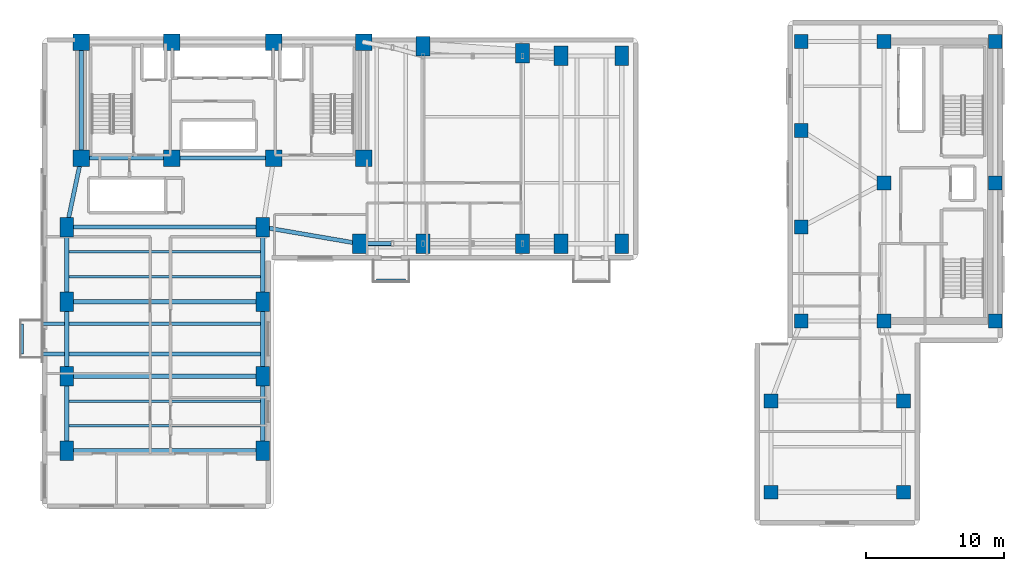
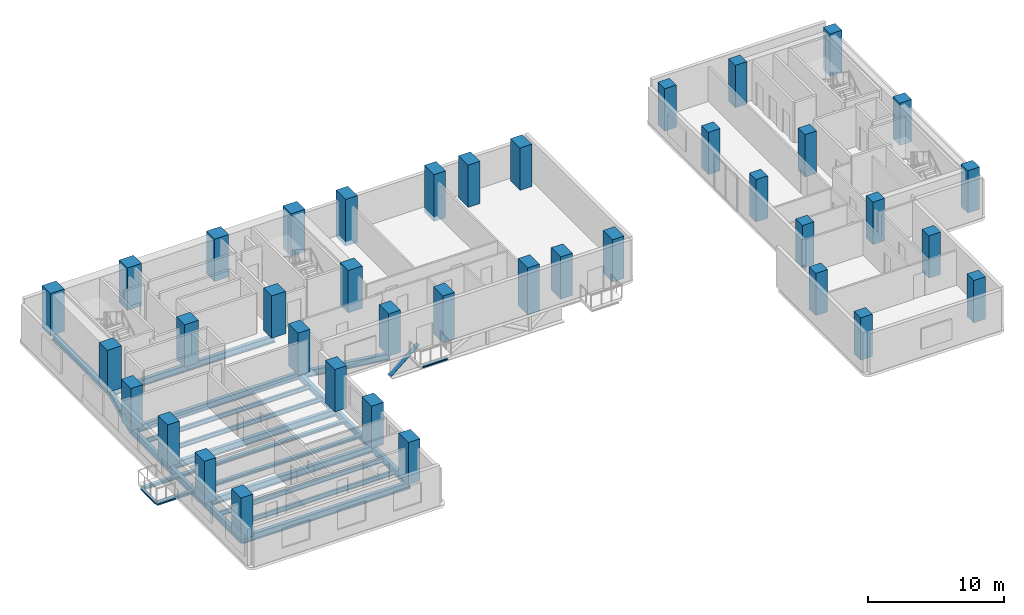
# One storey, part 1 of 15: 39 columns, 23 beams, 1 member.
"""IFC4 building model written with IfcOpenShell, lengths in metres."""

import ifcopenshell
import ifcopenshell.guid

model = None  # the IFC model being written
_history = None  # IfcOwnerHistory: only IFC2X3 demands one
_inside = {}  # id of a spatial element -> (the spatial element, [elements in it])
_under = {}  # id of a project, library or spatial element -> (it, [spatial elements below it])
_declared = {}  # id of a project -> (the project, [libraries it declares])
_typed = {}  # id of a type object -> (the type object, [elements of that type])
_made_of = {}  # id of a material, layer set ... -> (it, [elements and type objects made of it])


def new_model(schema):
    """Start an empty IFC model of exactly this schema.

    Asked for "IFC4X3", IfcOpenShell would pick the latest addendum, in which some entities
    have other attributes; the version numbers below select the first issue.
    IFC2X3 requires an IfcOwnerHistory on every rooted entity: one is made here for all.
    """
    global model, _history
    if schema == "IFC4X3":
        model = ifcopenshell.file(schema_version=(4, 3, 0, 0))
    else:
        model = ifcopenshell.file(schema=schema)
    _inside.clear()
    _under.clear()
    _declared.clear()
    _typed.clear()
    _made_of.clear()
    _history = None
    if model.schema == "IFC2X3":
        org = make("IfcOrganization", Name="unknown")
        user = make(
            "IfcPersonAndOrganization",
            ThePerson=make("IfcPerson", FamilyName="unknown"),
            TheOrganization=org,
        )
        app = make(
            "IfcApplication",
            ApplicationDeveloper=org,
            Version="unknown",
            ApplicationFullName="unknown",
            ApplicationIdentifier="unknown",
        )
        _history = make(
            "IfcOwnerHistory",
            OwningUser=user,
            OwningApplication=app,
            ChangeAction="ADDED",
            CreationDate=0,
        )
    return model


def make(cls, **values):
    """One entity of the class cls with the attributes given. An attribute that is None is left unset."""
    return model.create_entity(
        cls, **{name: value for name, value in values.items() if value is not None}
    )


def rooted(cls, **values):
    """An entity with a GlobalId (a new one), such as an element, a storey or a relation."""
    return make(cls, GlobalId=ifcopenshell.guid.new(), OwnerHistory=_history, **values)


def si_unit(unit_type, name, prefix=None):
    """IfcSIUnit, for example si_unit("LENGTHUNIT", "METRE", prefix="MILLI")."""
    return make("IfcSIUnit", UnitType=unit_type, Prefix=prefix, Name=name)


def assignment(units):
    """IfcUnitAssignment: the units of a project."""
    return None if units is None else make("IfcUnitAssignment", Units=units)


def point(xyz):
    """IfcCartesianPoint."""
    return None if xyz is None else make("IfcCartesianPoint", Coordinates=xyz)


def direction(xyz):
    """IfcDirection."""
    return None if xyz is None else make("IfcDirection", DirectionRatios=xyz)


def frame(location, z_axis=None, x_axis=None):
    """IfcAxis2Placement3D, a coordinate frame: its origin and axes. An axis left out is left unset."""
    return make(
        "IfcAxis2Placement3D",
        Location=point(location),
        Axis=direction(z_axis),
        RefDirection=direction(x_axis),
    )


def frame_2d(location, x_axis=None):
    """IfcAxis2Placement2D, a coordinate frame in the plane: its origin and x axis."""
    return make(
        "IfcAxis2Placement2D", Location=point(location), RefDirection=direction(x_axis)
    )


def origin():
    """The frame at (0, 0, 0) with its axes left unset."""
    return frame((0.0, 0.0, 0.0))


def origin_2d():
    """The frame at (0, 0) in the plane with its x axis left unset."""
    return frame_2d((0.0, 0.0))


def place(relative_to, where):
    """IfcLocalPlacement: puts the frame where relative to a parent placement (None: the world)."""
    return make(
        "IfcLocalPlacement", PlacementRelTo=relative_to, RelativePlacement=where
    )


def context(
    kind, dimensions, precision=None, world=None, true_north=None, identifier=None
):
    """IfcGeometricRepresentationContext, for example the 3D "Model" context."""
    return make(
        "IfcGeometricRepresentationContext",
        ContextIdentifier=identifier,
        ContextType=kind,
        CoordinateSpaceDimension=dimensions,
        Precision=precision,
        WorldCoordinateSystem=world,
        TrueNorth=true_north,
    )


def subcontext(parent, identifier, kind, view, scale=None):
    """IfcGeometricRepresentationSubContext, for example "Body" below "Model"."""
    return make(
        "IfcGeometricRepresentationSubContext",
        ContextIdentifier=identifier,
        ContextType=kind,
        ParentContext=parent,
        TargetScale=scale,
        TargetView=view,
    )


def project(units=None, contexts=None):
    """IfcProject with its units and contexts."""
    return rooted(
        "IfcProject",
        Name="project",
        RepresentationContexts=contexts,
        UnitsInContext=assignment(units),
    )


def spatial(cls, under=None, at=None, **own):
    """A site, building, storey or space (cls), placed at a placement, below another one or the project."""
    s = rooted(cls, ObjectPlacement=at, **own)
    if under is not None:
        _under.setdefault(under.id(), (under, []))[1].append(s)
    return s


def profile(cls, at=None, kind="AREA", **sizes):
    """A parametric profile (cls). Its sizes go by their IFC names, for example OverallWidth=200.0."""
    return make(cls, ProfileType=kind, Position=at, **sizes)


def rectangle(**sizes):
    """IfcRectangleProfileDef."""
    return profile("IfcRectangleProfileDef", **sizes)


def hollow_circle(**sizes):
    """IfcCircleHollowProfileDef."""
    return profile("IfcCircleHollowProfileDef", **sizes)


def i_section(**sizes):
    """IfcIShapeProfileDef."""
    return profile("IfcIShapeProfileDef", **sizes)


def extrude(swept, where, along, depth):
    """IfcExtrudedAreaSolid: the profile swept, set in the frame where, extruded along a direction by depth."""
    return make(
        "IfcExtrudedAreaSolid",
        SweptArea=swept,
        Position=where,
        ExtrudedDirection=direction(along),
        Depth=depth,
    )


def shape(context_of_items, identifier, shape_type, items):
    """IfcShapeRepresentation: the items that make up one representation, for example the "Body"."""
    return make(
        "IfcShapeRepresentation",
        ContextOfItems=context_of_items,
        RepresentationIdentifier=identifier,
        RepresentationType=shape_type,
        Items=items,
    )


def material(Name=None, Category=None):
    """IfcMaterial."""
    return make("IfcMaterial", Name=Name, Category=Category)


def material_profile(
    of_material, cross_section, Name=None, Category=None, Priority=None
):
    """IfcMaterialProfile: a cross section and its material."""
    return make(
        "IfcMaterialProfile",
        Name=Name,
        Material=of_material,
        Profile=cross_section,
        Priority=Priority,
        Category=Category,
    )


def profile_set(profiles, Name=None, composite=None):
    """IfcMaterialProfileSet."""
    return make(
        "IfcMaterialProfileSet",
        Name=Name,
        MaterialProfiles=profiles,
        CompositeProfile=composite,
    )


def made_of(thing, what):
    """Note that an element or type object is made of a material, layer set ...; save() writes the relation."""
    if what is not None:
        _made_of.setdefault(what.id(), (what, []))[1].append(thing)
    return thing


def type_object(cls, material=None, **own):
    """A type object (cls), such as IfcWallType, which elements share."""
    return made_of(rooted(cls, **own), material)


def element(
    cls,
    number,
    at=None,
    inside=None,
    cuts=None,
    type_object=None,
    material=None,
    context=None,
    identifier="Body",
    shape_type=None,
    held_by="IfcProductDefinitionShape",
    body=None,
    shapes=None,
    **own,
):
    """One element of the class cls, such as IfcWall. Its Tag is "e" and its number.

    at: its placement. inside: the storey or other place that contains it. cuts: it is an
    opening in that element (IfcRelVoidsElement). A single representation is given by context,
    identifier, shape_type and body (its items); several are given by shapes. held_by: the class
    of the entity that holds the representations. save() writes the other relations.
    """
    e = rooted(cls, Tag="e%d" % number, ObjectPlacement=at, **own)
    if body is not None:
        shapes = [shape(context, identifier, shape_type, body)]
    if shapes is not None:
        e.Representation = make(held_by, Representations=shapes)
    if inside is not None:
        _inside.setdefault(inside.id(), (inside, []))[1].append(e)
    if cuts is not None:
        rooted(
            "IfcRelVoidsElement", RelatingBuildingElement=cuts, RelatedOpeningElement=e
        )
    if type_object is not None:
        _typed.setdefault(type_object.id(), (type_object, []))[1].append(e)
    return made_of(e, material)


def aggregate(whole, parts):
    """IfcRelAggregates: a whole, such as a stair, and the parts it consists of."""
    return rooted("IfcRelAggregates", RelatingObject=whole, RelatedObjects=parts)


def save(model, path):
    """Write the relations noted so far, then the file.

    IfcRelAggregates (storeys below a building ...), IfcRelContainedInSpatialStructure (elements
    in a storey), IfcRelDefinesByType, IfcRelAssociatesMaterial and IfcRelDeclares: one each for
    every whole, place, type object, material and project.
    """
    for whole, parts in _under.values():
        aggregate(whole, parts)
    for where, things in _inside.values():
        rooted(
            "IfcRelContainedInSpatialStructure",
            RelatedElements=things,
            RelatingStructure=where,
        )
    for kind, things in _typed.values():
        rooted("IfcRelDefinesByType", RelatedObjects=things, RelatingType=kind)
    for what, things in _made_of.values():
        rooted("IfcRelAssociatesMaterial", RelatedObjects=things, RelatingMaterial=what)
    for by, libraries in _declared.values():
        rooted("IfcRelDeclares", RelatingContext=by, RelatedDefinitions=libraries)
    model.write(path)


model = new_model("IFC4")

# Units and contexts
model_context = context("Model", 3, precision=1e-05, world=origin(), true_north=direction((0.0, 1.0)))
body_context = subcontext(model_context, "Body", "Model", "MODEL_VIEW")
ifc_project = project(units=[si_unit("LENGTHUNIT", "METRE"), si_unit("AREAUNIT", "SQUARE_METRE"), si_unit("VOLUMEUNIT", "CUBIC_METRE"), si_unit("PLANEANGLEUNIT", "RADIAN"), si_unit("MASSUNIT", "GRAM", prefix="KILO")], contexts=[model_context])

# Site, building, storey
site_placement = place(None, origin())
site = spatial("IfcSite", under=ifc_project, at=site_placement, CompositionType="ELEMENT")
building_placement = place(site_placement, origin())
building = spatial("IfcBuilding", under=site, at=building_placement, Name="Kuzgunbayir Cultural Tower", CompositionType="ELEMENT")
storey_placement = place(building_placement, frame((0.0, 0.0, 39.800048828125)))
storey = spatial("IfcBuildingStorey", under=building, at=storey_placement, Name="L10", CompositionType="ELEMENT", Elevation=39.800048828125)

# Columns
ifc_material_1 = material(Name="Concrete C60/75", Category="concrete")
ifc_material_profile_1 = material_profile(ifc_material_1, rectangle(XDim=1.199951171875, YDim=1.199951171875, at=origin_2d()), Name="RC 1200x1200")
ifc_profile_set_1 = profile_set([ifc_material_profile_1], Name="Concrete C60/75")
column_type_1 = type_object("IfcColumnType", Name="COL-CORE-1200", PredefinedType="COLUMN", material=ifc_profile_set_1)
for number, where, z_axis, x_axis, name in (
    (1, (6.449951171875, 33.800048828125, 0.0), (0.0, 0.0, 1.0), (1.0, 0.0, 0.0), "L10 T1 Core Boundary Column CC1-1"),
    (2, (13.0, 33.800048828125, 0.0), (0.0, 0.0, 1.0), (1.0, 0.0, 0.0), "L10 T1 Core Boundary Column CC1-2"),
    (3, (20.39990234375, 33.800048828125, 0.0), (0.0, 0.0, 1.0), (1.0, 0.0, 0.0), "L10 T1 Core Boundary Column CC1-3"),
    (4, (26.89990234375, 33.800048828125, 0.0), (0.0, 0.0, 1.0), (1.0, 0.0, 0.0), "L10 T1 Core Boundary Column CC1-4"),
    (5, (6.449951171875, 42.199951171875, 0.0), (0.0, 0.0, 1.0), (1.0, 0.0, 0.0), "L10 T1 Core Boundary Column CC1-5"),
    (6, (13.0, 42.199951171875, 0.0), (0.0, 0.0, 1.0), (1.0, 0.0, 0.0), "L10 T1 Core Boundary Column CC1-6"),
    (7, (20.39990234375, 42.199951171875, 0.0), (0.0, 0.0, 1.0), (1.0, 0.0, 0.0), "L10 T1 Core Boundary Column CC1-7"),
    (8, (26.89990234375, 42.199951171875, 0.0), (0.0, 0.0, 1.0), (1.0, 0.0, 0.0), "L10 T1 Core Boundary Column CC1-8"),
):
    element("IfcColumn", number, at=place(storey_placement, frame(where, z_axis=z_axis, x_axis=x_axis)), inside=storey, type_object=column_type_1, Name=name, PredefinedType="COLUMN", context=body_context, shape_type="SweptSolid", body=[
        extrude(rectangle(XDim=1.199951171875, YDim=1.199951171875, at=origin_2d()), origin(), (0.0, 0.0, 1.0), 3.800048828125),
    ])
ifc_material_profile_2 = material_profile(ifc_material_1, rectangle(XDim=1.0, YDim=1.39990234375, at=origin_2d()), Name="RC 1400x1000")
ifc_profile_set_2 = profile_set([ifc_material_profile_2], Name="Concrete C60/75")
column_type_2 = type_object("IfcColumnType", Name="COL-T1-1400x1000", PredefinedType="COLUMN", material=ifc_profile_set_2)
for number, where, z_axis, x_axis, name in (
    (9, (5.39990234375, 12.60009765625, 0.0), (0.0, 0.0, 1.0), (1.0, 0.0, 0.0), "L10 Tower 1 Wing A Column T1A-W-1"),
    (10, (19.60009765625, 12.60009765625, 0.0), (0.0, 0.0, 1.0), (1.0, 0.0, 0.0), "L10 Tower 1 Wing A Column T1A-E-1"),
    (11, (5.39990234375, 18.0, 0.0), (0.0, 0.0, 1.0), (1.0, 0.0, 0.0), "L10 Tower 1 Wing A Column T1A-W-2"),
    (12, (19.60009765625, 18.0, 0.0), (0.0, 0.0, 1.0), (1.0, 0.0, 0.0), "L10 Tower 1 Wing A Column T1A-E-2"),
    (13, (5.39990234375, 23.39990234375, 0.0), (0.0, 0.0, 1.0), (1.0, 0.0, 0.0), "L10 Tower 1 Wing A Column T1A-W-3"),
    (14, (19.60009765625, 23.39990234375, 0.0), (0.0, 0.0, 1.0), (1.0, 0.0, 0.0), "L10 Tower 1 Wing A Column T1A-E-3"),
    (15, (5.39990234375, 28.800048828125, 0.0), (0.0, 0.0, 1.0), (1.0, 0.0, 0.0), "L10 Tower 1 Wing A Column T1A-W-4"),
    (16, (19.60009765625, 28.800048828125, 0.0), (0.0, 0.0, 1.0), (1.0, 0.0, 0.0), "L10 Tower 1 Wing A Column T1A-E-4"),
    (17, (26.60009765625, 27.60009765625, 0.0), (0.0, 0.0, 1.0), (1.0, 0.0, 0.0), "L10 Tower 1 Wing B Column T1B-1-1"),
):
    element("IfcColumn", number, at=place(storey_placement, frame(where, z_axis=z_axis, x_axis=x_axis)), inside=storey, type_object=column_type_2, Name=name, PredefinedType="COLUMN", context=body_context, shape_type="SweptSolid", body=[
        extrude(rectangle(XDim=1.0, YDim=1.39990234375, at=origin_2d()), origin(), (0.0, 0.0, 1.0), 3.800048828125),
    ])
for number, where, z_axis, x_axis, name in (
    (18, (31.199951171875, 27.60009765625, -0.400146484375), (0.0, 0.0, 1.0), (1.0, 0.0, 0.0), "L10 Tower 1 Wing B Column T1B-2-1"),
    (19, (31.199951171875, 41.89990234375, -0.400146484375), (0.0, 0.0, 1.0), (1.0, 0.0, 0.0), "L10 Tower 1 Wing B Column T1B-2-2"),
    (20, (38.39990234375, 27.60009765625, -0.400146484375), (0.0, 0.0, 1.0), (1.0, 0.0, 0.0), "L10 Tower 1 Wing B Column T1B-3-1"),
    (21, (38.39990234375, 41.39990234375, -0.400146484375), (0.0, 0.0, 1.0), (1.0, 0.0, 0.0), "L10 Tower 1 Wing B Column T1B-3-2"),
):
    element("IfcColumn", number, at=place(storey_placement, frame(where, z_axis=z_axis, x_axis=x_axis)), inside=storey, type_object=column_type_2, Name=name, PredefinedType="COLUMN", context=body_context, shape_type="SweptSolid", body=[
        extrude(rectangle(XDim=1.0, YDim=1.39990234375, at=origin_2d()), origin(), (0.0, 0.0, 1.0), 4.2001953125),
    ])
for number, where, z_axis, x_axis, name in (
    (22, (41.199951171875, 27.60009765625, 0.0), (0.0, 0.0, 1.0), (1.0, 0.0, 0.0), "L10 Tower 1 Wing B Column T1B-4-1"),
    (23, (41.199951171875, 41.199951171875, 0.0), (0.0, 0.0, 1.0), (1.0, 0.0, 0.0), "L10 Tower 1 Wing B Column T1B-4-2"),
    (24, (45.60009765625, 27.60009765625, 0.0), (0.0, 0.0, 1.0), (1.0, 0.0, 0.0), "L10 Tower 1 Wing B Column T1B-5-1"),
    (25, (45.60009765625, 41.199951171875, 0.0), (0.0, 0.0, 1.0), (1.0, 0.0, 0.0), "L10 Tower 1 Wing B Column T1B-5-2"),
):
    element("IfcColumn", number, at=place(storey_placement, frame(where, z_axis=z_axis, x_axis=x_axis)), inside=storey, type_object=column_type_2, Name=name, PredefinedType="COLUMN", context=body_context, shape_type="SweptSolid", body=[
        extrude(rectangle(XDim=1.0, YDim=1.39990234375, at=origin_2d()), origin(), (0.0, 0.0, 1.0), 3.800048828125),
    ])
ifc_material_profile_3 = material_profile(ifc_material_1, rectangle(XDim=1.0, YDim=1.0, at=origin_2d()), Name="RC 1000x1000")
ifc_profile_set_3 = profile_set([ifc_material_profile_3], Name="Concrete C60/75")
column_type_3 = type_object("IfcColumnType", Name="COL-T2-1000", PredefinedType="COLUMN", material=ifc_profile_set_3)
for number, where, z_axis, x_axis, name in (
    (26, (64.60009765625, 22.0, 0.0), (0.0, 0.0, 1.0), (1.0, 0.0, 0.0), "L10 T2 Core Boundary Column CC2-1"),
    (27, (72.64990234375, 22.0, 0.0), (0.0, 0.0, 1.0), (1.0, 0.0, 0.0), "L10 T2 Core Boundary Column CC2-2"),
    (28, (64.60009765625, 32.0, 0.0), (0.0, 0.0, 1.0), (1.0, 0.0, 0.0), "L10 T2 Core Boundary Column CC2-3"),
    (29, (72.64990234375, 32.0, 0.0), (0.0, 0.0, 1.0), (1.0, 0.0, 0.0), "L10 T2 Core Boundary Column CC2-4"),
    (30, (64.60009765625, 42.25, 0.0), (0.0, 0.0, 1.0), (1.0, 0.0, 0.0), "L10 T2 Core Boundary Column CC2-5"),
    (31, (72.64990234375, 42.25, 0.0), (0.0, 0.0, 1.0), (1.0, 0.0, 0.0), "L10 T2 Core Boundary Column CC2-6"),
):
    element("IfcColumn", number, at=place(storey_placement, frame(where, z_axis=z_axis, x_axis=x_axis)), inside=storey, type_object=column_type_3, Name=name, PredefinedType="COLUMN", context=body_context, shape_type="SweptSolid", body=[
        extrude(rectangle(XDim=1.0, YDim=1.0, at=origin_2d()), origin(), (0.0, 0.0, 1.0), 3.800048828125),
    ])
ifc_material_profile_4 = material_profile(ifc_material_1, rectangle(XDim=1.0, YDim=1.0, at=origin_2d()), Name="RC 1000x1000")
ifc_profile_set_4 = profile_set([ifc_material_profile_4], Name="Concrete C60/75")
column_type_4 = type_object("IfcColumnType", Name="COL-T2-1000-EXT", PredefinedType="COLUMN", material=ifc_profile_set_4)
for number, where, z_axis, x_axis, name in (
    (32, (58.60009765625, 22.0, 0.0), (0.0, 0.0, 1.0), (1.0, 0.0, 0.0), "L10 Companion Wing A Column T2A-W-1"),
    (33, (58.60009765625, 28.800048828125, 0.0), (0.0, 0.0, 1.0), (1.0, 0.0, 0.0), "L10 Companion Wing A Column T2A-W-2"),
    (34, (58.60009765625, 35.800048828125, 0.0), (0.0, 0.0, 1.0), (1.0, 0.0, 0.0), "L10 Companion Wing A Column T2A-W-3"),
    (35, (58.60009765625, 42.25, 0.0), (0.0, 0.0, 1.0), (1.0, 0.0, 0.0), "L10 Companion Wing A Column T2A-W-4"),
    (36, (56.39990234375, 9.60009765625, 0.0), (0.0, 0.0, 1.0), (1.0, 0.0, 0.0), "L10 Companion Wing B Column T2B-1-1"),
    (37, (56.39990234375, 16.199951171875, 0.0), (0.0, 0.0, 1.0), (1.0, 0.0, 0.0), "L10 Companion Wing B Column T2B-1-2"),
    (38, (66.0, 9.60009765625, 0.0), (0.0, 0.0, 1.0), (1.0, 0.0, 0.0), "L10 Companion Wing B Column T2B-2-1"),
    (39, (66.0, 16.199951171875, 0.0), (0.0, 0.0, 1.0), (1.0, 0.0, 0.0), "L10 Companion Wing B Column T2B-2-2"),
):
    element("IfcColumn", number, at=place(storey_placement, frame(where, z_axis=z_axis, x_axis=x_axis)), inside=storey, type_object=column_type_4, Name=name, PredefinedType="COLUMN", context=body_context, shape_type="SweptSolid", body=[
        extrude(rectangle(XDim=1.0, YDim=1.0, at=origin_2d()), origin(), (0.0, 0.0, 1.0), 3.800048828125),
    ])

# Beams
ifc_material_2 = material(Name="Steel S355J2", Category="steel")
ifc_material_profile_5 = material_profile(ifc_material_2, i_section(OverallWidth=0.280029296875, OverallDepth=0.280029296875, WebThickness=0.010498046875, FlangeThickness=0.01806640625, FilletRadius=0.02392578125, at=origin_2d()), Name="HEB 280")
ifc_profile_set_5 = profile_set([ifc_material_profile_5], Name="Steel S355J2")
beam_type_1 = type_object("IfcBeamType", Name="BM-BAL-HEB280", PredefinedType="BEAM", material=ifc_profile_set_5)
for number, where, z_axis, x_axis, name in (
    (40, (2.159912109375, 19.60009765625, -0.380126953125), (1.0, 0.0, 0.0), (0.0, 1.0, 0.0), "L10 Balcony Outrigger Beam BAL-L10-WA2.1"),
    (41, (2.159912109375, 21.800048828125, -0.380126953125), (1.0, 0.0, 0.0), (0.0, 1.0, 0.0), "L10 Balcony Outrigger Beam BAL-L10-WA2.2"),
):
    element("IfcBeam", number, at=place(storey_placement, frame(where, z_axis=z_axis, x_axis=x_axis)), inside=storey, type_object=beam_type_1, Name=name, PredefinedType="BEAM", context=body_context, shape_type="SweptSolid", body=[
        extrude(i_section(OverallWidth=0.280029296875, OverallDepth=0.280029296875, WebThickness=0.010498046875, FlangeThickness=0.01806640625, FilletRadius=0.02392578125, at=origin_2d()), origin(), (0.0, 0.0, 1.0), 17.440185546875),
    ])
ifc_material_profile_6 = material_profile(ifc_material_2, i_section(OverallWidth=0.199951171875, OverallDepth=0.199951171875, WebThickness=0.009033203125, FlangeThickness=0.014892578125, FilletRadius=0.01806640625, at=origin_2d()), Name="HEB 200")
ifc_profile_set_6 = profile_set([ifc_material_profile_6], Name="Steel S355J2")
beam_type_2 = type_object("IfcBeamType", Name="BM-CAN-HEB200", PredefinedType="BEAM", material=ifc_profile_set_6)
beam_1_placement = place(storey_placement, frame((2.159912109375, 19.60009765625, -0.340087890625), z_axis=(0.0, 1.0, 0.0), x_axis=(-1.0, 0.0, 0.0)))
element("IfcBeam", 42, at=beam_1_placement, inside=storey, type_object=beam_type_2, Name="L10 Balcony Edge Header BAL-L10-WA2", PredefinedType="BEAM", context=body_context, shape_type="SweptSolid", body=[
    extrude(i_section(OverallWidth=0.199951171875, OverallDepth=0.199951171875, WebThickness=0.009033203125, FlangeThickness=0.014892578125, FilletRadius=0.01806640625, at=origin_2d()), origin(), (0.0, 0.0, 1.0), 2.199951171875),
])
beam_2_placement = place(storey_placement, frame((27.85009765625, 24.9599609375, -0.340087890625), z_axis=(1.0, 0.0, 0.0), x_axis=(0.0, 1.0, 0.0)))
element("IfcBeam", 43, at=beam_2_placement, inside=storey, type_object=beam_type_2, Name="L10 Balcony Edge Header BAL-L10-WB1", PredefinedType="BEAM", context=body_context, shape_type="SweptSolid", body=[
    extrude(i_section(OverallWidth=0.199951171875, OverallDepth=0.199951171875, WebThickness=0.009033203125, FlangeThickness=0.014892578125, FilletRadius=0.01806640625, at=origin_2d()), origin(), (0.0, 0.0, 1.0), 2.099853515625),
])
ifc_material_profile_7 = material_profile(ifc_material_2, i_section(OverallWidth=0.300048828125, OverallDepth=0.60009765625, WebThickness=0.015380859375, FlangeThickness=0.030029296875, FilletRadius=0.027099609375, at=origin_2d()), Name="HEB 600")
ifc_profile_set_7 = profile_set([ifc_material_profile_7], Name="Steel S355J2")
beam_type_3 = type_object("IfcBeamType", Name="BM-EXT-HEB600", PredefinedType="BEAM", material=ifc_profile_set_7)
for number, where, z_axis, x_axis, name in (
    (44, (5.39990234375, 12.60009765625, -0.5400390625), (0.0, 1.0, 0.0), (-1.0, 0.0, 0.0), "L10 Wing A West Girder 1"),
    (45, (19.60009765625, 12.60009765625, -0.5400390625), (0.0, 1.0, 0.0), (-1.0, 0.0, 0.0), "L10 Wing A East Girder 1"),
    (46, (5.39990234375, 18.0, -0.5400390625), (0.0, 1.0, 0.0), (-1.0, 0.0, 0.0), "L10 Wing A West Girder 2"),
    (47, (19.60009765625, 18.0, -0.5400390625), (0.0, 1.0, 0.0), (-1.0, 0.0, 0.0), "L10 Wing A East Girder 2"),
):
    element("IfcBeam", number, at=place(storey_placement, frame(where, z_axis=z_axis, x_axis=x_axis)), inside=storey, type_object=beam_type_3, Name=name, PredefinedType="BEAM", context=body_context, shape_type="SweptSolid", body=[
        extrude(i_section(OverallWidth=0.300048828125, OverallDepth=0.60009765625, WebThickness=0.015380859375, FlangeThickness=0.030029296875, FilletRadius=0.027099609375, at=origin_2d()), origin(), (0.0, 0.0, 1.0), 5.39990234375),
    ])
for number, where, z_axis, x_axis, name in (
    (48, (5.39990234375, 23.39990234375, -0.5400390625), (0.0, 1.0, 0.0), (-1.0, 0.0, 0.0), "L10 Wing A West Girder 3"),
    (49, (19.60009765625, 23.39990234375, -0.5400390625), (0.0, 1.0, 0.0), (-1.0, 0.0, 0.0), "L10 Wing A East Girder 3"),
):
    element("IfcBeam", number, at=place(storey_placement, frame(where, z_axis=z_axis, x_axis=x_axis)), inside=storey, type_object=beam_type_3, Name=name, PredefinedType="BEAM", context=body_context, shape_type="SweptSolid", body=[
        extrude(i_section(OverallWidth=0.300048828125, OverallDepth=0.60009765625, WebThickness=0.015380859375, FlangeThickness=0.030029296875, FilletRadius=0.027099609375, at=origin_2d()), origin(), (0.0, 0.0, 1.0), 5.400146484375),
    ])
ifc_material_profile_8 = material_profile(ifc_material_2, i_section(OverallWidth=0.300048828125, OverallDepth=0.60009765625, WebThickness=0.015380859375, FlangeThickness=0.030029296875, FilletRadius=0.027099609375, at=origin_2d()), Name="HEB 600")
ifc_profile_set_8 = profile_set([ifc_material_profile_8], Name="Steel S355J2")
beam_type_4 = type_object("IfcBeamType", Name="BM-GIR-HEB600", PredefinedType="BEAM", material=ifc_profile_set_8)
beam_3_placement = place(storey_placement, frame((6.449951171875, 33.800048828125, -0.5400390625), z_axis=(1.0, 0.0, 0.0), x_axis=(0.0, 1.0, 0.0)))
element("IfcBeam", 50, at=beam_3_placement, inside=storey, type_object=beam_type_4, Name="L10 Core South Girder 1", PredefinedType="BEAM", context=body_context, shape_type="SweptSolid", body=[
    extrude(i_section(OverallWidth=0.300048828125, OverallDepth=0.60009765625, WebThickness=0.015380859375, FlangeThickness=0.030029296875, FilletRadius=0.027099609375, at=origin_2d()), origin(), (0.0, 0.0, 1.0), 6.550048828125),
])
beam_4_placement = place(storey_placement, frame((13.0, 33.800048828125, -0.5400390625), z_axis=(1.0, 0.0, 0.0), x_axis=(0.0, 1.0, 0.0)))
element("IfcBeam", 51, at=beam_4_placement, inside=storey, type_object=beam_type_4, Name="L10 Core South Girder 2", PredefinedType="BEAM", context=body_context, shape_type="SweptSolid", body=[
    extrude(i_section(OverallWidth=0.300048828125, OverallDepth=0.60009765625, WebThickness=0.015380859375, FlangeThickness=0.030029296875, FilletRadius=0.027099609375, at=origin_2d()), origin(), (0.0, 0.0, 1.0), 7.39990234375),
])
beam_5_placement = place(storey_placement, frame((6.449951171875, 33.800048828125, -0.5400390625), z_axis=(0.0, 1.0, 0.0), x_axis=(-1.0, 0.0, 0.0)))
element("IfcBeam", 52, at=beam_5_placement, inside=storey, type_object=beam_type_4, Name="L10 Core West Edge Girder", PredefinedType="BEAM", context=body_context, shape_type="SweptSolid", body=[
    extrude(i_section(OverallWidth=0.300048828125, OverallDepth=0.60009765625, WebThickness=0.015380859375, FlangeThickness=0.030029296875, FilletRadius=0.027099609375, at=origin_2d()), origin(), (0.0, 0.0, 1.0), 8.39990234375),
])
for number, where, z_axis, x_axis, name in (
    (53, (5.39990234375, 12.60009765625, -0.5400390625), (1.0, 0.0, 0.0), (0.0, 1.0, 0.0), "L10 Wing A Transverse Girder 1"),
    (54, (5.39990234375, 18.0, -0.5400390625), (1.0, 0.0, 0.0), (0.0, 1.0, 0.0), "L10 Wing A Transverse Girder 2"),
    (55, (5.39990234375, 23.39990234375, -0.5400390625), (1.0, 0.0, 0.0), (0.0, 1.0, 0.0), "L10 Wing A Transverse Girder 3"),
    (56, (5.39990234375, 28.800048828125, -0.5400390625), (1.0, 0.0, 0.0), (0.0, 1.0, 0.0), "L10 Wing A Transverse Girder 4"),
):
    element("IfcBeam", number, at=place(storey_placement, frame(where, z_axis=z_axis, x_axis=x_axis)), inside=storey, type_object=beam_type_4, Name=name, PredefinedType="BEAM", context=body_context, shape_type="SweptSolid", body=[
        extrude(i_section(OverallWidth=0.300048828125, OverallDepth=0.60009765625, WebThickness=0.015380859375, FlangeThickness=0.030029296875, FilletRadius=0.027099609375, at=origin_2d()), origin(), (0.0, 0.0, 1.0), 14.2001953125),
    ])
beam_6_placement = place(storey_placement, frame((5.39990234375, 28.800048828125, -0.5400390625), z_axis=(0.205526387753, 0.978651574329, 0.0), x_axis=(-0.978651574329, 0.205526387753, 0.0)))
element("IfcBeam", 57, at=beam_6_placement, inside=storey, type_object=beam_type_4, Name="L10 Wing A West Core Floor Girder", PredefinedType="BEAM", context=body_context, shape_type="SweptSolid", body=[
    extrude(i_section(OverallWidth=0.300048828125, OverallDepth=0.60009765625, WebThickness=0.015380859375, FlangeThickness=0.030029296875, FilletRadius=0.027099609375, at=origin_2d()), origin(), (0.0, 0.0, 1.0), 5.109130859375),
])
beam_7_placement = place(storey_placement, frame((19.60009765625, 28.800048828125, -0.5400390625), z_axis=(0.985623399742, -0.168957136221, 0.0), x_axis=(0.168957136221, 0.985623399742, 0.0)))
element("IfcBeam", 58, at=beam_7_placement, inside=storey, type_object=beam_type_4, Name="L10 Wing B Waist Tie Girder", PredefinedType="BEAM", context=body_context, shape_type="SweptSolid", body=[
    extrude(i_section(OverallWidth=0.300048828125, OverallDepth=0.60009765625, WebThickness=0.015380859375, FlangeThickness=0.030029296875, FilletRadius=0.027099609375, at=origin_2d()), origin(), (0.0, 0.0, 1.0), 7.10205078125),
])
ifc_material_profile_9 = material_profile(ifc_material_2, i_section(OverallWidth=0.179931640625, OverallDepth=0.39990234375, WebThickness=0.008544921875, FlangeThickness=0.013427734375, FilletRadius=0.02099609375, at=origin_2d()), Name="IPE 400")
ifc_profile_set_9 = profile_set([ifc_material_profile_9], Name="Steel S355J2")
beam_type_5 = type_object("IfcBeamType", Name="BM-JST-IPE400", PredefinedType="JOIST", material=ifc_profile_set_9)
for number, where, z_axis, x_axis, name in (
    (59, (5.550048828125, 14.39990234375, -0.43994140625), (1.0, 0.0, 0.0), (0.0, 1.0, 0.0), "L10 Wing A Secondary Joist 1"),
    (60, (5.550048828125, 16.199951171875, -0.43994140625), (1.0, 0.0, 0.0), (0.0, 1.0, 0.0), "L10 Wing A Secondary Joist 2"),
    (61, (5.550048828125, 25.199951171875, -0.43994140625), (1.0, 0.0, 0.0), (0.0, 1.0, 0.0), "L10 Wing A Secondary Joist 5"),
    (62, (5.550048828125, 27.0, -0.43994140625), (1.0, 0.0, 0.0), (0.0, 1.0, 0.0), "L10 Wing A Secondary Joist 6"),
):
    element("IfcBeam", number, at=place(storey_placement, frame(where, z_axis=z_axis, x_axis=x_axis)), inside=storey, type_object=beam_type_5, Name=name, PredefinedType="JOIST", context=body_context, shape_type="SweptSolid", body=[
        extrude(i_section(OverallWidth=0.179931640625, OverallDepth=0.39990234375, WebThickness=0.008544921875, FlangeThickness=0.013427734375, FilletRadius=0.02099609375, at=origin_2d()), origin(), (0.0, 0.0, 1.0), 13.89990234375),
    ])

# Member
ifc_material_3 = material(Name="Steel S460M", Category="steel")
ifc_material_profile_10 = material_profile(ifc_material_3, hollow_circle(Radius=0.161865234375, WallThickness=0.01611328125, at=origin_2d()), Name="CHS 323.9x16")
ifc_profile_set_10 = profile_set([ifc_material_profile_10], Name="Steel S460M")
member_type = type_object("IfcMemberType", Name="MEM-PRT-CHS324", PredefinedType="BRACE", material=ifc_profile_set_10)
member_placement = place(storey_placement, frame((26.60009765625, 27.60009765625, -2.300048828125), z_axis=(0.768208468069, 0.0, 0.640199773186), x_axis=(0.0, 1.0, 0.0)))
element("IfcMember", 63, at=member_placement, inside=storey, type_object=member_type, Name="L10 Void-Portal Bridge Truss Diagonal 1", PredefinedType="BRACE", context=body_context, shape_type="SweptSolid", body=[
    extrude(hollow_circle(Radius=0.161865234375, WallThickness=0.01611328125, at=origin_2d()), origin(), (0.0, 0.0, 1.0), 3.1240234375),
])

save(model, "model.ifc")
